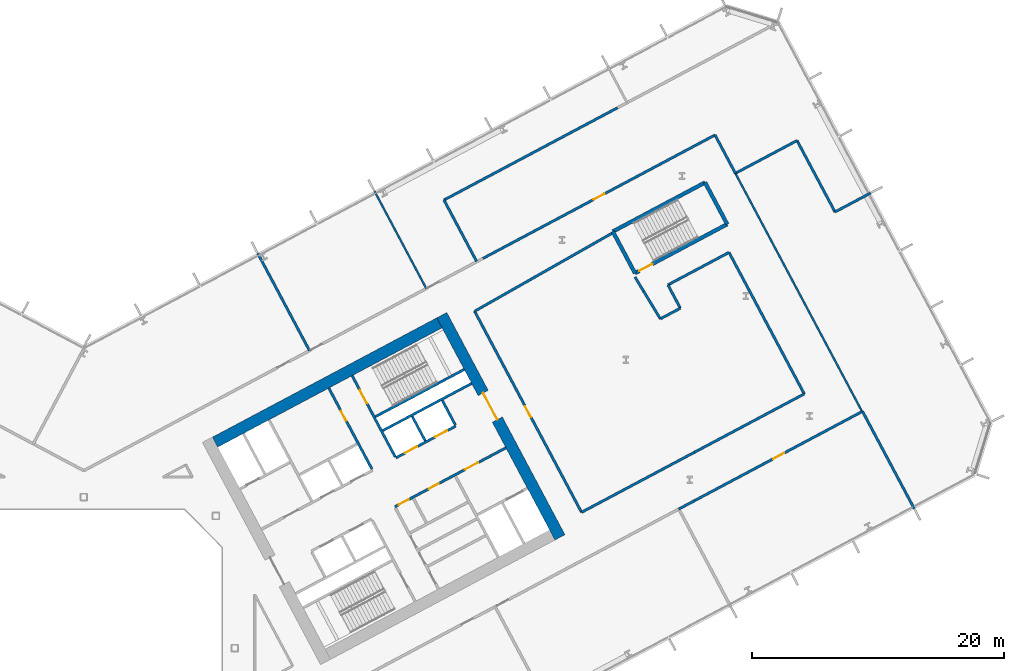
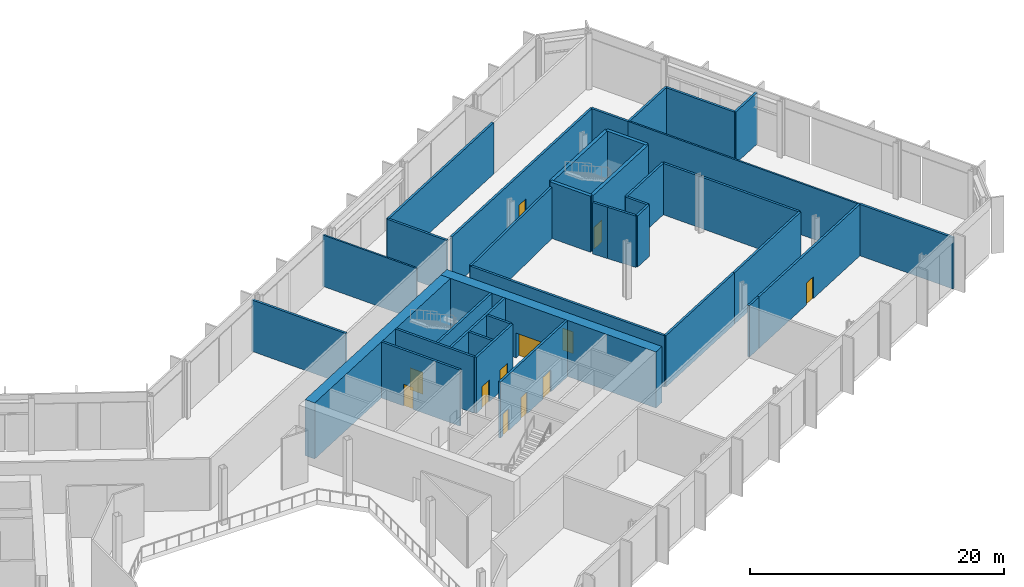
# One storey, part 16 of 30: 37 walls, 12 doors, 12 openings.
"""IFC4 building model written with IfcOpenShell, lengths in metres."""

from ifc_helpers import new_model, si_unit, direction, frame, frame_2d, origin, place, context, subcontext, project, spatial, rectangle, extrude, material, layer, layer_set, type_object, element, fill, save


model = new_model("IFC4")

# Units and contexts
model_context = context("Model", 3, precision=1e-05, world=origin(), true_north=direction((0.0, 1.0)))
body_context = subcontext(model_context, "Body", "Model", "MODEL_VIEW")
ifc_project = project(units=[si_unit("LENGTHUNIT", "METRE"), si_unit("AREAUNIT", "SQUARE_METRE"), si_unit("VOLUMEUNIT", "CUBIC_METRE"), si_unit("PLANEANGLEUNIT", "RADIAN"), si_unit("MASSUNIT", "GRAM", prefix="KILO")], contexts=[model_context])

# Site, building, storey
site_placement = place(None, origin())
site = spatial("IfcSite", under=ifc_project, at=site_placement, CompositionType="ELEMENT")
building_placement = place(site_placement, origin())
building = spatial("IfcBuilding", under=site, at=building_placement, Name="Cormorant Relay Tower", CompositionType="ELEMENT")
storey_placement = place(building_placement, frame((0.0, 0.0, 44.60009765625)))
storey = spatial("IfcBuildingStorey", under=building, at=storey_placement, Name="L08", CompositionType="ELEMENT", Elevation=44.60009765625)

# Wall
ifc_material_1 = material(Name="Concrete 40 MPa", Category="concrete")
ifc_layer_1 = layer(ifc_material_1, 0.199951171875)
ifc_layer_set_1 = layer_set([ifc_layer_1], Name="Core internal wall 200")
wall_type_1 = type_object("IfcWallType", Name="Core internal wall 200", PredefinedType="SOLIDWALL", material=ifc_layer_set_1)
wall_1_placement = place(storey_placement, frame((27.144287109375, 16.471435546875, 0.0), z_axis=(0.0, 0.0, 1.0), x_axis=(-0.469401318492, 0.882984938828, 0.0)))
element("IfcWall", 1, at=wall_1_placement, inside=storey, type_object=wall_type_1, Name="L08 core B shaft and room wall", PredefinedType="SOLIDWALL", context=body_context, shape_type="SweptSolid", body=[
    extrude(rectangle(XDim=2.199951171875, YDim=0.199951171875, at=frame_2d((1.10009765625, 0.0))), origin(), (0.0, 0.0, 1.0), 5.39990234375),
])

# Wall, opening, door
ifc_material_2 = material(Name="Concrete 50 MPa", Category="concrete")
ifc_layer_2 = layer(ifc_material_2, 0.199951171875)
ifc_layer_set_2 = layer_set([ifc_layer_2], Name="Core shaft wall 200")
wall_type_2 = type_object("IfcWallType", Name="Core shaft wall 200", PredefinedType="SHEAR", material=ifc_layer_set_2)
wall_2_placement = place(storey_placement, frame((22.90625, 14.218017578125, 0.0), z_axis=(0.0, 0.0, 1.0), x_axis=(-0.469480409012, 0.88294288918, 0.0)))
wall_2 = element("IfcWall", 2, at=wall_2_placement, inside=storey, type_object=wall_type_2, Name="L08 core B shaft wall", PredefinedType="SHEAR", context=body_context, shape_type="SweptSolid", body=[
    extrude(rectangle(XDim=7.300048828125, YDim=0.199951171875, at=frame_2d((3.64990234375, 0.0))), origin(), (0.0, 0.0, 1.0), 5.39990234375),
])
opening_1_placement = place(wall_2_placement, frame((4.35009765625, 0.0, 0.0)))
opening_1 = element("IfcOpeningElement", 3, at=opening_1_placement, cuts=wall_2, Name="Opening CDD-097", PredefinedType="OPENING", context=body_context, shape_type="SweptSolid", body=[
    extrude(rectangle(XDim=0.89990234375, YDim=2.10009765625, at=frame_2d((0.449951171875, 1.050048828125))), frame((0.0, 0.10986328125, 0.0), z_axis=(0.0, -1.0, 0.0), x_axis=(1.0, 0.0, 0.0)), (0.0, 0.0, 1.0), 0.219970703125),
])
ifc_material_3 = material(Name="Steel fire door", Category="steel")
door_type_1 = type_object("IfcDoorType", Name="Core room door 900x2100", OperationType="SINGLE_SWING_LEFT", PredefinedType="DOOR", material=ifc_material_3)
door_1_placement = place(opening_1_placement, origin())
door_1 = element("IfcDoor", 4, at=door_1_placement, inside=storey, type_object=door_type_1, Name="Core room door 900x2100", OperationType="SINGLE_SWING_LEFT", OverallHeight=2.10009765625, OverallWidth=0.89990234375, PredefinedType="DOOR", context=body_context, shape_type="SweptSolid", body=[
    extrude(rectangle(XDim=0.89990234375, YDim=2.10009765625, at=frame_2d((0.449951171875, 1.050048828125))), frame((0.0, 0.02490234375, 0.0), z_axis=(0.0, -1.0, 0.0), x_axis=(1.0, 0.0, 0.0)), (0.0, 0.0, 1.0), 0.050048828125),
])
fill(opening_1, door_1)

wall_3_placement = place(storey_placement, frame((24.760498046875, 15.2041015625, 0.0), z_axis=(0.0, 0.0, 1.0), x_axis=(-0.469494272526, 0.882935517501, 0.0)))
wall_3 = element("IfcWall", 5, at=wall_3_placement, inside=storey, type_object=wall_type_2, Name="L08 core B shaft wall", PredefinedType="SHEAR", context=body_context, shape_type="SweptSolid", body=[
    extrude(rectangle(XDim=7.2998046875, YDim=0.199951171875, at=frame_2d((3.64990234375, 0.0))), origin(), (0.0, 0.0, 1.0), 5.39990234375),
])
opening_2_placement = place(wall_3_placement, frame((4.800048828125, 0.0, 0.0)))
opening_2 = element("IfcOpeningElement", 6, at=opening_2_placement, cuts=wall_3, Name="Opening CDB-022", PredefinedType="OPENING", context=body_context, shape_type="SweptSolid", body=[
    extrude(rectangle(XDim=1.199951171875, YDim=2.10009765625, at=frame_2d((0.60009765625, 1.050048828125))), frame((0.0, 0.10986328125, 0.0), z_axis=(0.0, -1.0, 0.0), x_axis=(1.0, 0.0, 0.0)), (0.0, 0.0, 1.0), 0.219970703125),
])
ifc_material_4 = material(Name="Steel fire door", Category="steel")
door_type_2 = type_object("IfcDoorType", Name="Core stair door 1200x2100", OperationType="SINGLE_SWING_LEFT", PredefinedType="DOOR", material=ifc_material_4)
door_2_placement = place(opening_2_placement, frame((1.199951171875, 0.0, 0.0), z_axis=(0.0, 0.0, 1.0), x_axis=(-1.0, 0.0, 0.0)))
door_2 = element("IfcDoor", 7, at=door_2_placement, inside=storey, type_object=door_type_2, Name="Core stair door 1200x2100", OperationType="SINGLE_SWING_RIGHT", OverallHeight=2.10009765625, OverallWidth=1.199951171875, PredefinedType="DOOR", context=body_context, shape_type="SweptSolid", body=[
    extrude(rectangle(XDim=1.199951171875, YDim=2.10009765625, at=frame_2d((0.60009765625, 1.050048828125))), frame((0.0, 0.02490234375, 0.0), z_axis=(0.0, -1.0, 0.0), x_axis=(1.0, 0.0, 0.0)), (0.0, 0.0, 1.0), 0.050048828125),
])
fill(opening_2, door_2)

# Wall
wall_4_placement = place(storey_placement, frame((29.5283203125, 17.739013671875, 0.0), z_axis=(0.0, 0.0, 1.0), x_axis=(-0.469401318492, 0.882984938828, 0.0)))
element("IfcWall", 8, at=wall_4_placement, inside=storey, type_object=wall_type_2, Name="L08 core B shaft wall", PredefinedType="SHEAR", context=body_context, shape_type="SweptSolid", body=[
    extrude(rectangle(XDim=2.199951171875, YDim=0.199951171875, at=frame_2d((1.10009765625, 0.0))), origin(), (0.0, 0.0, 1.0), 5.39990234375),
])

# Wall, openings, doors
wall_5_placement = place(storey_placement, frame((24.72607421875, 11.2216796875, 0.0), z_axis=(0.0, 0.0, 1.0), x_axis=(0.882940221191, 0.469485426614, 0.0)))
wall_5 = element("IfcWall", 9, at=wall_5_placement, inside=storey, type_object=wall_type_2, Name="L08 core B shaft wall", PredefinedType="SHEAR", context=body_context, shape_type="SweptSolid", body=[
    extrude(rectangle(XDim=10.0, YDim=0.199951171875, at=frame_2d((5.0, 0.0))), origin(), (0.0, 0.0, 1.0), 5.39990234375),
])
opening_3_placement = place(wall_5_placement, frame((6.300048828125, 0.0, 0.0)))
opening_3 = element("IfcOpeningElement", 10, at=opening_3_placement, cuts=wall_5, Name="Opening CDC-016", PredefinedType="OPENING", context=body_context, shape_type="SweptSolid", body=[
    extrude(rectangle(XDim=1.199951171875, YDim=2.10009765625, at=frame_2d((0.60009765625, 1.050048828125))), frame((0.0, 0.10986328125, 0.0), z_axis=(0.0, -1.0, 0.0), x_axis=(1.0, 0.0, 0.0)), (0.0, 0.0, 1.0), 0.219970703125),
])
opening_4_placement = place(wall_5_placement, frame((0.360107421875, 0.0, 0.0)))
opening_4 = element("IfcOpeningElement", 11, at=opening_4_placement, cuts=wall_5, Name="Opening CDD-074", PredefinedType="OPENING", context=body_context, shape_type="SweptSolid", body=[
    extrude(rectangle(XDim=0.89990234375, YDim=2.10009765625, at=frame_2d((0.449951171875, 1.050048828125))), frame((0.0, 0.10986328125, 0.0), z_axis=(0.0, -1.0, 0.0), x_axis=(1.0, 0.0, 0.0)), (0.0, 0.0, 1.0), 0.219970703125),
])
opening_5_placement = place(wall_5_placement, frame((3.06005859375, 0.0, 0.0)))
opening_5 = element("IfcOpeningElement", 12, at=opening_5_placement, cuts=wall_5, Name="Opening CDD-075", PredefinedType="OPENING", context=body_context, shape_type="SweptSolid", body=[
    extrude(rectangle(XDim=0.89990234375, YDim=2.10009765625, at=frame_2d((0.449951171875, 1.050048828125))), frame((0.0, 0.10986328125, 0.0), z_axis=(0.0, -1.0, 0.0), x_axis=(1.0, 0.0, 0.0)), (0.0, 0.0, 1.0), 0.219970703125),
])
ifc_material_5 = material(Name="Steel fire door", Category="steel")
door_type_3 = type_object("IfcDoorType", Name="Core lobby door 1200x2100", OperationType="SINGLE_SWING_LEFT", PredefinedType="DOOR", material=ifc_material_5)
door_3_placement = place(opening_3_placement, frame((1.199951171875, 0.0, 0.0), z_axis=(0.0, 0.0, 1.0), x_axis=(-1.0, 0.0, 0.0)))
door_3 = element("IfcDoor", 13, at=door_3_placement, inside=storey, type_object=door_type_3, Name="Core lobby door 1200x2100", OperationType="SINGLE_SWING_RIGHT", OverallHeight=2.10009765625, OverallWidth=1.199951171875, PredefinedType="DOOR", context=body_context, shape_type="SweptSolid", body=[
    extrude(rectangle(XDim=1.199951171875, YDim=2.10009765625, at=frame_2d((0.60009765625, 1.050048828125))), frame((0.0, 0.02490234375, 0.0), z_axis=(0.0, -1.0, 0.0), x_axis=(1.0, 0.0, 0.0)), (0.0, 0.0, 1.0), 0.050048828125),
])
fill(opening_3, door_3)
door_4_placement = place(opening_4_placement, frame((0.89990234375, 0.0, 0.0), z_axis=(0.0, 0.0, 1.0), x_axis=(-1.0, 0.0, 0.0)))
door_4 = element("IfcDoor", 14, at=door_4_placement, inside=storey, type_object=door_type_1, Name="Core room door 900x2100", OperationType="SINGLE_SWING_RIGHT", OverallHeight=2.10009765625, OverallWidth=0.89990234375, PredefinedType="DOOR", context=body_context, shape_type="SweptSolid", body=[
    extrude(rectangle(XDim=0.89990234375, YDim=2.10009765625, at=frame_2d((0.449951171875, 1.050048828125))), frame((0.0, 0.02490234375, 0.0), z_axis=(0.0, -1.0, 0.0), x_axis=(1.0, 0.0, 0.0)), (0.0, 0.0, 1.0), 0.050048828125),
])
fill(opening_4, door_4)
door_5_placement = place(opening_5_placement, frame((0.89990234375, 0.0, 0.0), z_axis=(0.0, 0.0, 1.0), x_axis=(-1.0, 0.0, 0.0)))
door_5 = element("IfcDoor", 15, at=door_5_placement, inside=storey, type_object=door_type_1, Name="Core room door 900x2100", OperationType="SINGLE_SWING_RIGHT", OverallHeight=2.10009765625, OverallWidth=0.89990234375, PredefinedType="DOOR", context=body_context, shape_type="SweptSolid", body=[
    extrude(rectangle(XDim=0.89990234375, YDim=2.10009765625, at=frame_2d((0.449951171875, 1.050048828125))), frame((0.0, 0.02490234375, 0.0), z_axis=(0.0, -1.0, 0.0), x_axis=(1.0, 0.0, 0.0)), (0.0, 0.0, 1.0), 0.050048828125),
])
fill(opening_5, door_5)

wall_6_placement = place(storey_placement, frame((24.807373046875, 15.11572265625, 0.0), z_axis=(0.0, 0.0, 1.0), x_axis=(0.882942972946, 0.469480251476, 0.0)))
wall_6 = element("IfcWall", 16, at=wall_6_placement, inside=storey, type_object=wall_type_2, Name="L08 core B shaft wall", PredefinedType="SHEAR", context=body_context, shape_type="SweptSolid", body=[
    extrude(rectangle(XDim=5.39990234375, YDim=0.199951171875, at=frame_2d((2.699951171875, 0.0))), origin(), (0.0, 0.0, 1.0), 5.39990234375),
])
opening_6_placement = place(wall_6_placement, frame((0.800048828125, 0.0, 0.0)))
opening_6 = element("IfcOpeningElement", 17, at=opening_6_placement, cuts=wall_6, Name="Opening LD1-022", PredefinedType="OPENING", context=body_context, shape_type="SweptSolid", body=[
    extrude(rectangle(XDim=1.10009765625, YDim=2.10009765625, at=frame_2d((0.550048828125, 1.050048828125))), frame((0.0, 0.10986328125, 0.0), z_axis=(0.0, -1.0, 0.0), x_axis=(1.0, 0.0, 0.0)), (0.0, 0.0, 1.0), 0.219970703125),
])
opening_7_placement = place(wall_6_placement, frame((3.5, 0.0, 0.0)))
opening_7 = element("IfcOpeningElement", 18, at=opening_7_placement, cuts=wall_6, Name="Opening LD1-023", PredefinedType="OPENING", context=body_context, shape_type="SweptSolid", body=[
    extrude(rectangle(XDim=1.10009765625, YDim=2.10009765625, at=frame_2d((0.550048828125, 1.050048828125))), frame((0.0, 0.10986328125, 0.0), z_axis=(0.0, -1.0, 0.0), x_axis=(1.0, 0.0, 0.0)), (0.0, 0.0, 1.0), 0.219970703125),
])
ifc_material_6 = material(Name="Stainless steel 316", Category="steel")
door_type_4 = type_object("IfcDoorType", Name="Lift landing door 1100x2100", OperationType="DOUBLE_DOOR_SLIDING", PredefinedType="DOOR", material=ifc_material_6)
door_6_placement = place(opening_6_placement, origin())
door_6 = element("IfcDoor", 19, at=door_6_placement, inside=storey, type_object=door_type_4, Name="LR3 landing door", OperationType="DOUBLE_DOOR_SLIDING", OverallHeight=2.10009765625, OverallWidth=1.10009765625, PredefinedType="DOOR", context=body_context, shape_type="SweptSolid", body=[
    extrude(rectangle(XDim=1.10009765625, YDim=2.10009765625, at=frame_2d((0.550048828125, 1.050048828125))), frame((0.0, 0.02490234375, 0.0), z_axis=(0.0, -1.0, 0.0), x_axis=(1.0, 0.0, 0.0)), (0.0, 0.0, 1.0), 0.050048828125),
])
fill(opening_6, door_6)
door_7_placement = place(opening_7_placement, origin())
door_7 = element("IfcDoor", 20, at=door_7_placement, inside=storey, type_object=door_type_4, Name="LR4 landing door", OperationType="DOUBLE_DOOR_SLIDING", OverallHeight=2.10009765625, OverallWidth=1.10009765625, PredefinedType="DOOR", context=body_context, shape_type="SweptSolid", body=[
    extrude(rectangle(XDim=1.10009765625, YDim=2.10009765625, at=frame_2d((0.550048828125, 1.050048828125))), frame((0.0, 0.02490234375, 0.0), z_axis=(0.0, -1.0, 0.0), x_axis=(1.0, 0.0, 0.0)), (0.0, 0.0, 1.0), 0.050048828125),
])
fill(opening_7, door_7)

# Walls
wall_7_placement = place(storey_placement, frame((23.76904296875, 17.28173828125, 0.0), z_axis=(0.0, 0.0, 1.0), x_axis=(0.882940221191, 0.469485426614, 0.0)))
element("IfcWall", 21, at=wall_7_placement, inside=storey, type_object=wall_type_2, Name="L08 core B shaft wall", PredefinedType="SHEAR", context=body_context, shape_type="SweptSolid", body=[
    extrude(rectangle(XDim=8.0, YDim=0.199951171875, at=frame_2d((4.0, 0.0))), origin(), (0.0, 0.0, 1.0), 5.39990234375),
])
wall_8_placement = place(storey_placement, frame((23.18212890625, 18.385498046875, 0.0), z_axis=(0.0, 0.0, 1.0), x_axis=(0.88295287151, 0.469461634952, 0.0)))
element("IfcWall", 22, at=wall_8_placement, inside=storey, type_object=wall_type_2, Name="L08 core B shaft wall", PredefinedType="SHEAR", context=body_context, shape_type="SweptSolid", body=[
    extrude(rectangle(XDim=7.999755859375, YDim=0.199951171875, at=frame_2d((4.0, 0.0))), origin(), (0.0, 0.0, 1.0), 5.39990234375),
])

# Wall, opening, door
ifc_material_7 = material(Name="Concrete 70 MPa", Category="concrete")
ifc_layer_3 = layer(ifc_material_7, 0.89990234375)
ifc_layer_set_3 = layer_set([ifc_layer_3], Name="Core wall 900")
wall_type_3 = type_object("IfcWallType", Name="Core wall 900", PredefinedType="SHEAR", material=ifc_layer_set_3)
wall_9_placement = place(storey_placement, frame((37.849365234375, 8.799072265625, 0.0), z_axis=(0.0, 0.0, 1.0), x_axis=(-0.469465789982, 0.882950662289, 0.0)))
wall_9 = element("IfcWall", 23, at=wall_9_placement, inside=storey, type_object=wall_type_3, Name="L08 core B wall", PredefinedType="SHEAR", context=body_context, shape_type="SweptSolid", body=[
    extrude(rectangle(XDim=20.000244140625, YDim=0.89990234375, at=frame_2d((10.0, 0.0))), origin(), (0.0, 0.0, 1.0), 5.39990234375),
])
opening_8_placement = place(wall_9_placement, frame((10.60009765625, 0.0, 0.0)))
opening_8 = element("IfcOpeningElement", 24, at=opening_8_placement, cuts=wall_9, Name="Opening CDA-016", PredefinedType="OPENING", context=body_context, shape_type="SweptSolid", body=[
    extrude(rectangle(XDim=2.39990234375, YDim=2.39990234375, at=frame_2d((1.199951171875, 1.199951171875))), frame((0.0, 0.4599609375, 0.0), z_axis=(0.0, -1.0, 0.0), x_axis=(1.0, 0.0, 0.0)), (0.0, 0.0, 1.0), 0.919921875),
])
ifc_material_8 = material(Name="Steel fire door", Category="steel")
door_type_5 = type_object("IfcDoorType", Name="Core lobby door 2400x2400", OperationType="DOUBLE_DOOR_SINGLE_SWING", PredefinedType="DOOR", material=ifc_material_8)
door_8_placement = place(opening_8_placement, origin())
door_8 = element("IfcDoor", 25, at=door_8_placement, inside=storey, type_object=door_type_5, Name="Core lobby door 2400x2400", OperationType="DOUBLE_DOOR_SINGLE_SWING", OverallHeight=2.39990234375, OverallWidth=2.39990234375, PredefinedType="DOOR", context=body_context, shape_type="SweptSolid", body=[
    extrude(rectangle(XDim=2.39990234375, YDim=2.39990234375, at=frame_2d((1.199951171875, 1.199951171875))), frame((0.0, 0.02490234375, 0.0), z_axis=(0.0, -1.0, 0.0), x_axis=(1.0, 0.0, 0.0)), (0.0, 0.0, 1.0), 0.050048828125),
])
fill(opening_8, door_8)

# Walls
wall_10_placement = place(storey_placement, frame((10.4384765625, 16.3662109375, 0.0), z_axis=(0.0, 0.0, 1.0), x_axis=(0.88294509198, 0.469476266226, 0.0)))
element("IfcWall", 26, at=wall_10_placement, inside=storey, type_object=wall_type_3, Name="L08 core B wall", PredefinedType="SHEAR", context=body_context, shape_type="SweptSolid", body=[
    extrude(rectangle(XDim=20.199951171875, YDim=0.89990234375, at=frame_2d((10.10009765625, 0.0))), origin(), (0.0, 0.0, 1.0), 5.39990234375),
])
ifc_material_9 = material(Name="Fire-rated gypsum board partition")
ifc_layer_4 = layer(ifc_material_9, 0.199951171875)
ifc_layer_set_4 = layer_set([ifc_layer_4], Name="Fire-rated gypsum partition 200")
wall_type_4 = type_object("IfcWallType", Name="Fire-rated gypsum partition 200", PredefinedType="PARTITIONING", material=ifc_layer_set_4)
wall_11_placement = place(storey_placement, frame((13.833984375, 31.365966796875, 0.0), z_axis=(0.0, 0.0, 1.0), x_axis=(0.469374180568, -0.882999365014, 0.0)))
element("IfcWall", 27, at=wall_11_placement, inside=storey, type_object=wall_type_4, Name="wall/L08/part/51", PredefinedType="PARTITIONING", context=body_context, shape_type="SweptSolid", body=[
    extrude(rectangle(XDim=8.749755859375, YDim=0.199951171875, at=frame_2d((4.375, 0.0))), origin(), (0.0, 0.0, 1.0), 4.949951171875),
])
wall_12_placement = place(storey_placement, frame((31.22998046875, 30.72607421875, 0.0), z_axis=(0.0, 0.0, 1.0), x_axis=(-0.469403649121, 0.882983699845, 0.0)))
element("IfcWall", 28, at=wall_12_placement, inside=storey, type_object=wall_type_4, Name="wall/L08/part/60", PredefinedType="PARTITIONING", context=body_context, shape_type="SweptSolid", body=[
    extrude(rectangle(XDim=5.532470703125, YDim=0.199951171875, at=frame_2d((2.76611328125, 0.0))), origin(), (0.0, 0.0, 1.0), 4.949951171875),
])
wall_13_placement = place(storey_placement, frame((28.633056640625, 35.611083984375, 0.0), z_axis=(0.0, 0.0, 1.0), x_axis=(0.882944068981, 0.469478190176, 0.0)))
element("IfcWall", 29, at=wall_13_placement, inside=storey, type_object=wall_type_4, Name="wall/L08/part/61", PredefinedType="PARTITIONING", context=body_context, shape_type="SweptSolid", body=[
    extrude(rectangle(XDim=15.62158203125, YDim=0.199951171875, at=frame_2d((7.810791015625, 0.0))), origin(), (0.0, 0.0, 1.0), 4.949951171875),
])

# Wall, opening, door
wall_14_placement = place(storey_placement, frame((31.73095703125, 30.971923828125, 0.0), z_axis=(0.0, 0.0, 1.0), x_axis=(0.88293515824, 0.469494948156, 0.0)))
wall_14 = element("IfcWall", 30, at=wall_14_placement, inside=storey, type_object=wall_type_4, Name="wall/L08/part/62", PredefinedType="PARTITIONING", context=body_context, shape_type="SweptSolid", body=[
    extrude(rectangle(XDim=20.892822265625, YDim=0.199951171875, at=frame_2d((10.4462890625, 0.0))), origin(), (0.0, 0.0, 1.0), 4.949951171875),
])
opening_9_placement = place(wall_14_placement, frame((9.949951171875, 0.0, 0.0)))
opening_9 = element("IfcOpeningElement", 31, at=opening_9_placement, cuts=wall_14, Name="Opening FD1-057", PredefinedType="OPENING", context=body_context, shape_type="SweptSolid", body=[
    extrude(rectangle(XDim=1.0, YDim=2.10009765625, at=frame_2d((0.5, 1.050048828125))), frame((0.0, 0.10986328125, 0.0), z_axis=(0.0, -1.0, 0.0), x_axis=(1.0, 0.0, 0.0)), (0.0, 0.0, 1.0), 0.219970703125),
])
ifc_material_10 = material(Name="Fire-rated steel door", Category="steel")
door_type_6 = type_object("IfcDoorType", Name="Fire door 1000 x 2100", OperationType="SINGLE_SWING_LEFT", PredefinedType="DOOR", material=ifc_material_10)
door_9_placement = place(opening_9_placement, origin())
door_9 = element("IfcDoor", 32, at=door_9_placement, inside=storey, type_object=door_type_6, Name="door/L08/7", OperationType="SINGLE_SWING_LEFT", OverallHeight=2.10009765625, OverallWidth=1.0, PredefinedType="DOOR", context=body_context, shape_type="SweptSolid", body=[
    extrude(rectangle(XDim=1.0, YDim=2.10009765625, at=frame_2d((0.5, 1.050048828125))), frame((0.0, 0.02490234375, 0.0), z_axis=(0.0, -1.0, 0.0), x_axis=(1.0, 0.0, 0.0)), (0.0, 0.0, 1.0), 0.050048828125),
])
fill(opening_9, door_9)

# Walls
wall_15_placement = place(storey_placement, frame((50.177978515625, 40.781005859375, 0.0), z_axis=(0.0, 0.0, 1.0), x_axis=(0.469355564401, -0.883009260521, 0.0)))
element("IfcWall", 33, at=wall_15_placement, inside=storey, type_object=wall_type_4, Name="wall/L08/part/63", PredefinedType="PARTITIONING", context=body_context, shape_type="SweptSolid", body=[
    extrude(rectangle(XDim=3.445068359375, YDim=0.199951171875, at=frame_2d((1.72265625, 0.0))), origin(), (0.0, 0.0, 1.0), 4.949951171875),
])
wall_16_placement = place(storey_placement, frame((48.541015625, 15.56005859375, 0.0), z_axis=(0.0, 0.0, 1.0), x_axis=(-0.882933406877, -0.469498241765, 0.0)))
element("IfcWall", 34, at=wall_16_placement, inside=storey, type_object=wall_type_4, Name="wall/L08/part/66", PredefinedType="PARTITIONING", context=body_context, shape_type="SweptSolid", body=[
    extrude(rectangle(XDim=10.1640625, YDim=0.199951171875, at=frame_2d((5.08203125, 0.0))), origin(), (0.0, 0.0, 1.0), 4.949951171875),
])

# Wall, opening, door
wall_17_placement = place(storey_placement, frame((39.56689453125, 10.7880859375, 0.0), z_axis=(0.0, 0.0, 1.0), x_axis=(-0.469474056812, 0.882946266757, 0.0)))
wall_17 = element("IfcWall", 35, at=wall_17_placement, inside=storey, type_object=wall_type_4, Name="wall/L08/part/67", PredefinedType="PARTITIONING", context=body_context, shape_type="SweptSolid", body=[
    extrude(rectangle(XDim=18.1005859375, YDim=0.199951171875, at=frame_2d((9.05029296875, 0.0))), origin(), (0.0, 0.0, 1.0), 4.949951171875),
])
opening_10_placement = place(wall_17_placement, frame((8.550048828125, 0.0, 0.0)))
opening_10 = element("IfcOpeningElement", 36, at=opening_10_placement, cuts=wall_17, Name="Opening FD1-053", PredefinedType="OPENING", context=body_context, shape_type="SweptSolid", body=[
    extrude(rectangle(XDim=1.0, YDim=2.10009765625, at=frame_2d((0.5, 1.050048828125))), frame((0.0, 0.10986328125, 0.0), z_axis=(0.0, -1.0, 0.0), x_axis=(1.0, 0.0, 0.0)), (0.0, 0.0, 1.0), 0.219970703125),
])
door_10_placement = place(opening_10_placement, origin())
door_10 = element("IfcDoor", 37, at=door_10_placement, inside=storey, type_object=door_type_6, Name="door/L08/21", OperationType="SINGLE_SWING_RIGHT", OverallHeight=2.10009765625, OverallWidth=1.0, PredefinedType="DOOR", context=body_context, shape_type="SweptSolid", body=[
    extrude(rectangle(XDim=1.0, YDim=2.10009765625, at=frame_2d((0.5, 1.050048828125))), frame((0.0, 0.02490234375, 0.0), z_axis=(0.0, -1.0, 0.0), x_axis=(1.0, 0.0, 0.0)), (0.0, 0.0, 1.0), 0.050048828125),
])
fill(opening_10, door_10)

# Walls
wall_18_placement = place(storey_placement, frame((31.069091796875, 26.77001953125, 0.0), z_axis=(0.0, 0.0, 1.0), x_axis=(0.86954617394, 0.493851649168, 0.0)))
element("IfcWall", 38, at=wall_18_placement, inside=storey, type_object=wall_type_4, Name="wall/L08/part/68", PredefinedType="PARTITIONING", context=body_context, shape_type="SweptSolid", body=[
    extrude(rectangle(XDim=12.55029296875, YDim=0.199951171875, at=frame_2d((6.275146484375, 0.0))), origin(), (0.0, 0.0, 1.0), 4.949951171875),
])
wall_19_placement = place(storey_placement, frame((43.81591796875, 29.490966796875, 0.0), z_axis=(0.0, 0.0, 1.0), x_axis=(0.518473208291, -0.855093873376, 0.0)))
element("IfcWall", 39, at=wall_19_placement, inside=storey, type_object=wall_type_4, Name="wall/L08/part/71", PredefinedType="PARTITIONING", context=body_context, shape_type="SweptSolid", body=[
    extrude(rectangle(XDim=1.324951171875, YDim=0.199951171875, at=frame_2d((0.66259765625, 0.0))), origin(), (0.0, 0.0, 1.0), 4.949951171875),
])
wall_20_placement = place(storey_placement, frame((45.8310546875, 26.1669921875, 0.0), z_axis=(0.0, 0.0, 1.0), x_axis=(-0.518386189645, 0.855146629757, 0.0)))
element("IfcWall", 40, at=wall_20_placement, inside=storey, type_object=wall_type_4, Name="wall/L08/part/72", PredefinedType="PARTITIONING", context=body_context, shape_type="SweptSolid", body=[
    extrude(rectangle(XDim=2.56201171875, YDim=0.199951171875, at=frame_2d((1.281005859375, 0.0))), origin(), (0.0, 0.0, 1.0), 4.949951171875),
])
wall_21_placement = place(storey_placement, frame((47.419921875, 27.011962890625, 0.0), z_axis=(0.0, 0.0, 1.0), x_axis=(-0.882911879422, -0.469538723829, 0.0)))
element("IfcWall", 41, at=wall_21_placement, inside=storey, type_object=wall_type_4, Name="wall/L08/part/73", PredefinedType="PARTITIONING", context=body_context, shape_type="SweptSolid", body=[
    extrude(rectangle(XDim=1.799560546875, YDim=0.199951171875, at=frame_2d((0.89990234375, 0.0))), origin(), (0.0, 0.0, 1.0), 4.949951171875),
])
wall_22_placement = place(storey_placement, frame((46.43408203125, 28.865966796875, 0.0), z_axis=(0.0, 0.0, 1.0), x_axis=(0.882942083458, 0.469481924316, 0.0)))
element("IfcWall", 42, at=wall_22_placement, inside=storey, type_object=wall_type_4, Name="wall/L08/part/74", PredefinedType="PARTITIONING", context=body_context, shape_type="SweptSolid", body=[
    extrude(rectangle(XDim=5.499755859375, YDim=0.199951171875, at=frame_2d((2.75, 0.0))), origin(), (0.0, 0.0, 1.0), 4.949951171875),
])
wall_23_placement = place(storey_placement, frame((51.2900390625, 31.447998046875, 0.0), z_axis=(0.0, 0.0, 1.0), x_axis=(0.469459757109, -0.882953869947, 0.0)))
element("IfcWall", 43, at=wall_23_placement, inside=storey, type_object=wall_type_4, Name="wall/L08/part/75", PredefinedType="PARTITIONING", context=body_context, shape_type="SweptSolid", body=[
    extrude(rectangle(XDim=12.738037109375, YDim=0.199951171875, at=frame_2d((6.369140625, 0.0))), origin(), (0.0, 0.0, 1.0), 4.949951171875),
])
wall_24_placement = place(storey_placement, frame((57.27001953125, 20.200927734375, 0.0), z_axis=(0.0, 0.0, 1.0), x_axis=(-0.882965394181, -0.469438081837, 0.0)))
element("IfcWall", 44, at=wall_24_placement, inside=storey, type_object=wall_type_4, Name="wall/L08/part/76", PredefinedType="PARTITIONING", context=body_context, shape_type="SweptSolid", body=[
    extrude(rectangle(XDim=9.885986328125, YDim=0.199951171875, at=frame_2d((4.94287109375, 0.0))), origin(), (0.0, 0.0, 1.0), 4.949951171875),
])
wall_25_placement = place(storey_placement, frame((47.419921875, 27.011962890625, 0.0), z_axis=(0.0, 0.0, 1.0), x_axis=(-0.469489562011, 0.882938022266, 0.0)))
element("IfcWall", 45, at=wall_25_placement, inside=storey, type_object=wall_type_4, Name="wall/L08/part/77", PredefinedType="PARTITIONING", context=body_context, shape_type="SweptSolid", body=[
    extrude(rectangle(XDim=2.099853515625, YDim=0.199951171875, at=frame_2d((1.0498046875, 0.0))), origin(), (0.0, 0.0, 1.0), 4.949951171875),
])
wall_26_placement = place(storey_placement, frame((48.575927734375, 11.72802734375, 0.0), z_axis=(0.0, 0.0, 1.0), x_axis=(-0.882918621496, -0.469526045939, 0.0)))
element("IfcWall", 46, at=wall_26_placement, inside=storey, type_object=wall_type_4, Name="wall/L08/part/78", PredefinedType="PARTITIONING", context=body_context, shape_type="SweptSolid", body=[
    extrude(rectangle(XDim=1.44384765625, YDim=0.199951171875, at=frame_2d((0.721923828125, 0.0))), origin(), (0.0, 0.0, 1.0), 4.949951171875),
])

# Wall, opening, door
wall_27_placement = place(storey_placement, frame((48.575927734375, 11.72802734375, 0.0), z_axis=(0.0, 0.0, 1.0), x_axis=(0.88294872662, 0.469469430486, 0.0)))
wall_27 = element("IfcWall", 47, at=wall_27_placement, inside=storey, type_object=wall_type_4, Name="wall/L08/part/79", PredefinedType="PARTITIONING", context=body_context, shape_type="SweptSolid", body=[
    extrude(rectangle(XDim=15.09130859375, YDim=0.199951171875, at=frame_2d((7.545654296875, 0.0))), origin(), (0.0, 0.0, 1.0), 4.949951171875),
])
opening_11_placement = place(wall_27_placement, frame((7.050048828125, 0.0, 0.0)))
opening_11 = element("IfcOpeningElement", 48, at=opening_11_placement, cuts=wall_27, Name="Opening FD1-056", PredefinedType="OPENING", context=body_context, shape_type="SweptSolid", body=[
    extrude(rectangle(XDim=1.0, YDim=2.10009765625, at=frame_2d((0.5, 1.050048828125))), frame((0.0, 0.10986328125, 0.0), z_axis=(0.0, -1.0, 0.0), x_axis=(1.0, 0.0, 0.0)), (0.0, 0.0, 1.0), 0.219970703125),
])
door_11_placement = place(opening_11_placement, frame((1.0, 0.0, 0.0), z_axis=(0.0, 0.0, 1.0), x_axis=(-1.0, 0.0, 0.0)))
door_11 = element("IfcDoor", 49, at=door_11_placement, inside=storey, type_object=door_type_6, Name="door/L08/6", OperationType="SINGLE_SWING_RIGHT", OverallHeight=2.10009765625, OverallWidth=1.0, PredefinedType="DOOR", context=body_context, shape_type="SweptSolid", body=[
    extrude(rectangle(XDim=1.0, YDim=2.10009765625, at=frame_2d((0.5, 1.050048828125))), frame((0.0, 0.02490234375, 0.0), z_axis=(0.0, -1.0, 0.0), x_axis=(1.0, 0.0, 0.0)), (0.0, 0.0, 1.0), 0.050048828125),
])
fill(opening_11, door_11)

# Walls
wall_28_placement = place(storey_placement, frame((61.90087890625, 18.81298828125, 0.0), z_axis=(0.0, 0.0, 1.0), x_axis=(0.469482945701, -0.882941540361, 0.0)))
element("IfcWall", 50, at=wall_28_placement, inside=storey, type_object=wall_type_4, Name="wall/L08/part/80", PredefinedType="PARTITIONING", context=body_context, shape_type="SweptSolid", body=[
    extrude(rectangle(XDim=8.75048828125, YDim=0.199951171875, at=frame_2d((4.375244140625, 0.0))), origin(), (0.0, 0.0, 1.0), 4.949951171875),
])
wall_29_placement = place(storey_placement, frame((62.5419921875, 36.166015625, 0.0), z_axis=(0.0, 0.0, 1.0), x_axis=(-0.883094981885, -0.46919425931, 0.0)))
element("IfcWall", 51, at=wall_29_placement, inside=storey, type_object=wall_type_4, Name="wall/L08/part/82", PredefinedType="PARTITIONING", context=body_context, shape_type="SweptSolid", body=[
    extrude(rectangle(XDim=3.201171875, YDim=0.199951171875, at=frame_2d((1.6005859375, 0.0))), origin(), (0.0, 0.0, 1.0), 4.949951171875),
])
wall_30_placement = place(storey_placement, frame((59.715087890625, 34.6640625, 0.0), z_axis=(0.0, 0.0, 1.0), x_axis=(-0.4695430505, 0.882909578455, 0.0)))
element("IfcWall", 52, at=wall_30_placement, inside=storey, type_object=wall_type_4, Name="wall/L08/part/83", PredefinedType="PARTITIONING", context=body_context, shape_type="SweptSolid", body=[
    extrude(rectangle(XDim=6.427734375, YDim=0.199951171875, at=frame_2d((3.2138671875, 0.0))), origin(), (0.0, 0.0, 1.0), 4.949951171875),
])
wall_31_placement = place(storey_placement, frame((56.697021484375, 40.339111328125, 0.0), z_axis=(0.0, 0.0, 1.0), x_axis=(-0.883007442596, -0.469358984488, 0.0)))
element("IfcWall", 53, at=wall_31_placement, inside=storey, type_object=wall_type_4, Name="wall/L08/part/84", PredefinedType="PARTITIONING", context=body_context, shape_type="SweptSolid", body=[
    extrude(rectangle(XDim=5.548095703125, YDim=0.199951171875, at=frame_2d((2.77392578125, 0.0))), origin(), (0.0, 0.0, 1.0), 4.949951171875),
])
ifc_material_11 = material(Name="Gypsum board partition")
ifc_layer_5 = layer(ifc_material_11, 0.14990234375)
ifc_layer_set_5 = layer_set([ifc_layer_5], Name="Gypsum board partition 150")
wall_type_5 = type_object("IfcWallType", Name="Gypsum board partition 150", PredefinedType="PARTITIONING", material=ifc_layer_set_5)
wall_32_placement = place(storey_placement, frame((23.116943359375, 36.302001953125, 0.0), z_axis=(0.0, 0.0, 1.0), x_axis=(0.469482945701, -0.882941540361, 0.0)))
element("IfcWall", 54, at=wall_32_placement, inside=storey, type_object=wall_type_5, Name="wall/L08/part/59", PredefinedType="PARTITIONING", context=body_context, shape_type="SweptSolid", body=[
    extrude(rectangle(XDim=8.75048828125, YDim=0.14990234375, at=frame_2d((4.375244140625, 0.0))), origin(), (0.0, 0.0, 1.0), 4.949951171875),
])
wall_33_placement = place(storey_placement, frame((51.794921875, 37.739013671875, 0.0), z_axis=(0.0, 0.0, 1.0), x_axis=(0.469480492676, -0.882942844694, 0.0)))
element("IfcWall", 55, at=wall_33_placement, inside=storey, type_object=wall_type_5, Name="wall/L08/part/81", PredefinedType="PARTITIONING", context=body_context, shape_type="SweptSolid", body=[
    extrude(rectangle(XDim=21.45556640625, YDim=0.14990234375, at=frame_2d((10.727783203125, 0.0))), origin(), (0.0, 0.0, 1.0), 4.949951171875),
])
ifc_material_12 = material(Name="Concrete 50 MPa", Category="concrete")
ifc_layer_6 = layer(ifc_material_12, 0.300048828125)
ifc_layer_set_6 = layer_set([ifc_layer_6], Name="Remote stair wall 300")
wall_type_6 = type_object("IfcWallType", Name="Remote stair wall 300", PredefinedType="SHEAR", material=ifc_layer_set_6)
wall_34_placement = place(storey_placement, frame((49.384033203125, 37.00390625, 0.0), z_axis=(0.0, 0.0, 1.0), x_axis=(0.46946936446, -0.882948761726, 0.0)))
element("IfcWall", 56, at=wall_34_placement, inside=storey, type_object=wall_type_6, Name="L08 exit stair RB1 wall", PredefinedType="SHEAR", context=body_context, shape_type="SweptSolid", body=[
    extrude(rectangle(XDim=3.75, YDim=0.300048828125, at=frame_2d((1.875, 0.0))), origin(), (0.0, 0.0, 1.0), 5.39990234375),
])

# Wall, opening, door
wall_35_placement = place(storey_placement, frame((51.14453125, 33.69287109375, 0.0), z_axis=(0.0, 0.0, 1.0), x_axis=(-0.882945809314, -0.469474917132, 0.0)))
wall_35 = element("IfcWall", 57, at=wall_35_placement, inside=storey, type_object=wall_type_6, Name="L08 exit stair RB1 wall", PredefinedType="SHEAR", context=body_context, shape_type="SweptSolid", body=[
    extrude(rectangle(XDim=8.30029296875, YDim=0.300048828125, at=frame_2d((4.150146484375, 0.0))), origin(), (0.0, 0.0, 1.0), 5.39990234375),
])
opening_12_placement = place(wall_35_placement, frame((6.72509765625, 0.0, 0.0)))
opening_12 = element("IfcOpeningElement", 58, at=opening_12_placement, cuts=wall_35, Name="Opening CDB-023", PredefinedType="OPENING", context=body_context, shape_type="SweptSolid", body=[
    extrude(rectangle(XDim=1.199951171875, YDim=2.10009765625, at=frame_2d((0.60009765625, 1.050048828125))), frame((0.0, 0.159912109375, 0.0), z_axis=(0.0, -1.0, 0.0), x_axis=(1.0, 0.0, 0.0)), (0.0, 0.0, 1.0), 0.320068359375),
])
door_12_placement = place(opening_12_placement, frame((1.199951171875, 0.0, 0.0), z_axis=(0.0, 0.0, 1.0), x_axis=(-1.0, 0.0, 0.0)))
door_12 = element("IfcDoor", 59, at=door_12_placement, inside=storey, type_object=door_type_2, Name="Exit stair RB1 door", OperationType="SINGLE_SWING_LEFT", OverallHeight=2.10009765625, OverallWidth=1.199951171875, PredefinedType="DOOR", context=body_context, shape_type="SweptSolid", body=[
    extrude(rectangle(XDim=1.199951171875, YDim=2.10009765625, at=frame_2d((0.60009765625, 1.050048828125))), frame((0.0, 0.02490234375, 0.0), z_axis=(0.0, -1.0, 0.0), x_axis=(1.0, 0.0, 0.0)), (0.0, 0.0, 1.0), 0.050048828125),
])
fill(opening_12, door_12)

# Walls
wall_36_placement = place(storey_placement, frame((43.81591796875, 29.796142578125, 0.0), z_axis=(0.0, 0.0, 1.0), x_axis=(-0.46946936446, 0.882948761726, 0.0)))
element("IfcWall", 60, at=wall_36_placement, inside=storey, type_object=wall_type_6, Name="L08 exit stair RB1 wall", PredefinedType="SHEAR", context=body_context, shape_type="SweptSolid", body=[
    extrude(rectangle(XDim=3.75, YDim=0.300048828125, at=frame_2d((1.875, 0.0))), origin(), (0.0, 0.0, 1.0), 5.39990234375),
])
wall_37_placement = place(storey_placement, frame((42.055419921875, 33.107177734375, 0.0), z_axis=(0.0, 0.0, 1.0), x_axis=(0.882945809314, 0.469474917132, 0.0)))
element("IfcWall", 61, at=wall_37_placement, inside=storey, type_object=wall_type_6, Name="L08 exit stair RB1 wall", PredefinedType="SHEAR", context=body_context, shape_type="SweptSolid", body=[
    extrude(rectangle(XDim=8.30029296875, YDim=0.300048828125, at=frame_2d((4.150146484375, 0.0))), origin(), (0.0, 0.0, 1.0), 5.39990234375),
])

save(model, "model.ifc")
